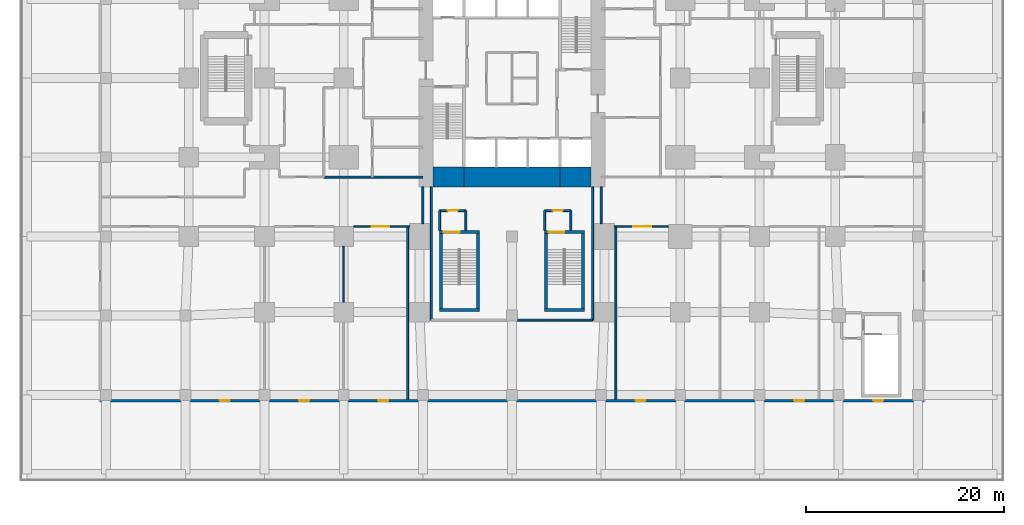
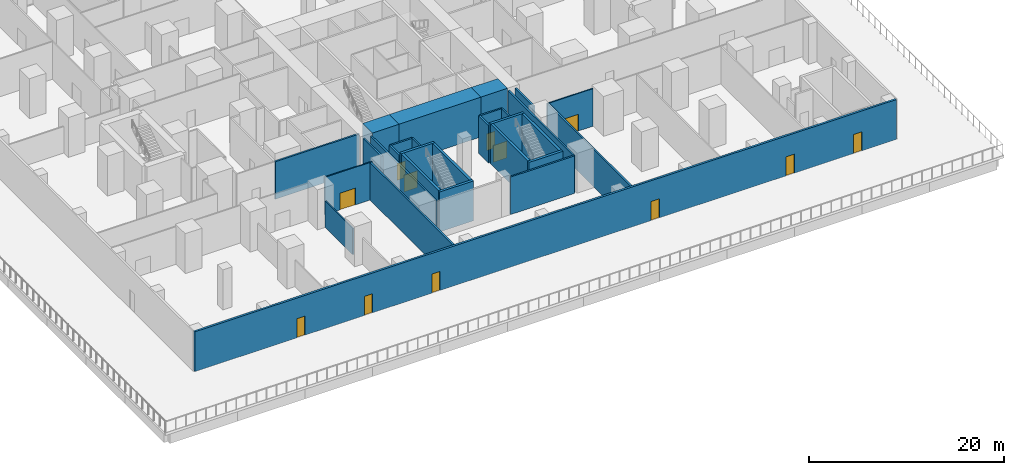
# One storey, part 7 of 19: 29 walls, 12 doors, 12 openings.
"""IFC4 building model written with IfcOpenShell, lengths in metres."""

from ifc_helpers import new_model, si_unit, direction, frame, frame_2d, origin, place, context, subcontext, project, spatial, rectangle, extrude, material, layer, layer_set, type_object, element, fill, save


model = new_model("IFC4")

# Units and contexts
model_context = context("Model", 3, precision=1e-05, world=origin(), true_north=direction((0.0, 1.0)))
body_context = subcontext(model_context, "Body", "Model", "MODEL_VIEW")
ifc_project = project(units=[si_unit("LENGTHUNIT", "METRE"), si_unit("AREAUNIT", "SQUARE_METRE"), si_unit("VOLUMEUNIT", "CUBIC_METRE"), si_unit("PLANEANGLEUNIT", "RADIAN"), si_unit("MASSUNIT", "GRAM", prefix="KILO")], contexts=[model_context])

# Site, building, storey
site_placement = place(None, origin())
site = spatial("IfcSite", under=ifc_project, at=site_placement, CompositionType="ELEMENT")
building_placement = place(site_placement, origin())
building = spatial("IfcBuilding", under=site, at=building_placement, Name="Cleftline Residences", CompositionType="ELEMENT")
storey_placement = place(building_placement, frame((0.0, 0.0, 11.0)))
storey = spatial("IfcBuildingStorey", under=building, at=storey_placement, Name="L02", CompositionType="ELEMENT", Elevation=11.0)

# Walls
ifc_material_1 = material(Name="Concrete B70", Category="concrete")
ifc_layer_1 = layer(ifc_material_1, 2.0)
ifc_layer_set_1 = layer_set([ifc_layer_1], Name="CORE WALL 2000")
wall_type_1 = type_object("IfcWallType", Name="CORE WALL 2000", PredefinedType="SHEAR", material=ifc_layer_set_1)
wall_1_placement = place(storey_placement, frame((25.0, 14.0, 0.0), z_axis=(0.0, 0.0, 1.0), x_axis=(1.0, 0.0, 0.0)))
element("IfcWall", 1, at=wall_1_placement, inside=storey, type_object=wall_type_1, Name="Core wall S1", PredefinedType="SHEAR", context=body_context, shape_type="SweptSolid", body=[
    extrude(rectangle(XDim=3.14990234375, YDim=2.0, at=frame_2d((1.574951171875, 0.0))), origin(), (0.0, 0.0, 1.0), 5.0),
])
wall_2_placement = place(storey_placement, frame((28.14990234375, 14.0, 0.0), z_axis=(0.0, 0.0, 1.0), x_axis=(1.0, 0.0, 0.0)))
element("IfcWall", 2, at=wall_2_placement, inside=storey, type_object=wall_type_1, Name="Core wall S2", PredefinedType="SHEAR", context=body_context, shape_type="SweptSolid", body=[
    extrude(rectangle(XDim=9.7001953125, YDim=2.0, at=frame_2d((4.85009765625, 0.0))), origin(), (0.0, 0.0, 1.0), 5.0),
])
wall_3_placement = place(storey_placement, frame((37.85009765625, 14.0, 0.0), z_axis=(0.0, 0.0, 1.0), x_axis=(1.0, 0.0, 0.0)))
element("IfcWall", 3, at=wall_3_placement, inside=storey, type_object=wall_type_1, Name="Core wall S3", PredefinedType="SHEAR", context=body_context, shape_type="SweptSolid", body=[
    extrude(rectangle(XDim=3.14990234375, YDim=2.0, at=frame_2d((1.574951171875, 0.0))), origin(), (0.0, 0.0, 1.0), 5.0),
])

# Wall, openings, doors
ifc_material_2 = material(Name="Rendered reinforced concrete blockwork", Category="masonry")
ifc_layer_2 = layer(ifc_material_2, 0.25)
ifc_layer_set_2 = layer_set([ifc_layer_2], Name="EXTERNAL WALL 250")
wall_type_2 = type_object("IfcWallType", Name="EXTERNAL WALL 250", PredefinedType="SOLIDWALL", material=ifc_layer_set_2)
wall_4_placement = place(storey_placement, frame((-8.574951171875, -8.574951171875, 0.0), z_axis=(0.0, 0.0, 1.0), x_axis=(1.0, 0.0, 0.0)))
wall_4 = element("IfcWall", 4, at=wall_4_placement, inside=storey, type_object=wall_type_2, Name="External wall", PredefinedType="SOLIDWALL", context=body_context, shape_type="SweptSolid", body=[
    extrude(rectangle(XDim=83.14990234375, YDim=0.25, at=frame_2d((41.574951171875, 0.0))), origin(), (0.0, 0.0, 1.0), 5.0),
])
opening_1_placement = place(wall_4_placement, frame((12.074951171875, 0.0, 0.0)))
opening_1 = element("IfcOpeningElement", 5, at=opening_1_placement, cuts=wall_4, Name="Opening DT1", PredefinedType="OPENING", context=body_context, shape_type="SweptSolid", body=[
    extrude(rectangle(XDim=1.0, YDim=2.39990234375, at=frame_2d((0.5, 1.199951171875))), frame((0.0, 0.135009765625, 0.0), z_axis=(0.0, -1.0, 0.0), x_axis=(1.0, 0.0, 0.0)), (0.0, 0.0, 1.0), 0.27001953125),
])
opening_2_placement = place(wall_4_placement, frame((20.074951171875, 0.0, 0.0)))
opening_2 = element("IfcOpeningElement", 6, at=opening_2_placement, cuts=wall_4, Name="Opening DT1", PredefinedType="OPENING", context=body_context, shape_type="SweptSolid", body=[
    extrude(rectangle(XDim=1.0, YDim=2.39990234375, at=frame_2d((0.5, 1.199951171875))), frame((0.0, 0.135009765625, 0.0), z_axis=(0.0, -1.0, 0.0), x_axis=(1.0, 0.0, 0.0)), (0.0, 0.0, 1.0), 0.27001953125),
])
opening_3_placement = place(wall_4_placement, frame((28.074951171875, 0.0, 0.0)))
opening_3 = element("IfcOpeningElement", 7, at=opening_3_placement, cuts=wall_4, Name="Opening DT1", PredefinedType="OPENING", context=body_context, shape_type="SweptSolid", body=[
    extrude(rectangle(XDim=1.0, YDim=2.39990234375, at=frame_2d((0.5, 1.199951171875))), frame((0.0, 0.135009765625, 0.0), z_axis=(0.0, -1.0, 0.0), x_axis=(1.0, 0.0, 0.0)), (0.0, 0.0, 1.0), 0.27001953125),
])
opening_4_placement = place(wall_4_placement, frame((54.074951171875, 0.0, 0.0)))
opening_4 = element("IfcOpeningElement", 8, at=opening_4_placement, cuts=wall_4, Name="Opening DT1", PredefinedType="OPENING", context=body_context, shape_type="SweptSolid", body=[
    extrude(rectangle(XDim=1.0, YDim=2.39990234375, at=frame_2d((0.5, 1.199951171875))), frame((0.0, 0.135009765625, 0.0), z_axis=(0.0, -1.0, 0.0), x_axis=(1.0, 0.0, 0.0)), (0.0, 0.0, 1.0), 0.27001953125),
])
opening_5_placement = place(wall_4_placement, frame((70.074951171875, 0.0, 0.0)))
opening_5 = element("IfcOpeningElement", 9, at=opening_5_placement, cuts=wall_4, Name="Opening DT1", PredefinedType="OPENING", context=body_context, shape_type="SweptSolid", body=[
    extrude(rectangle(XDim=1.0, YDim=2.39990234375, at=frame_2d((0.5, 1.199951171875))), frame((0.0, 0.135009765625, 0.0), z_axis=(0.0, -1.0, 0.0), x_axis=(1.0, 0.0, 0.0)), (0.0, 0.0, 1.0), 0.27001953125),
])
opening_6_placement = place(wall_4_placement, frame((78.074951171875, 0.0, 0.0)))
opening_6 = element("IfcOpeningElement", 10, at=opening_6_placement, cuts=wall_4, Name="Opening DT1", PredefinedType="OPENING", context=body_context, shape_type="SweptSolid", body=[
    extrude(rectangle(XDim=1.0, YDim=2.39990234375, at=frame_2d((0.5, 1.199951171875))), frame((0.0, 0.135009765625, 0.0), z_axis=(0.0, -1.0, 0.0), x_axis=(1.0, 0.0, 0.0)), (0.0, 0.0, 1.0), 0.27001953125),
])
ifc_material_3 = material(Name="Aluminium and laminated glass", Category="aluminium")
door_type_1 = type_object("IfcDoorType", Name="TERRACE DOOR 1000X2400", OperationType="SINGLE_SWING_LEFT", PredefinedType="DOOR", material=ifc_material_3)
door_1_placement = place(opening_1_placement, origin())
door_1 = element("IfcDoor", 11, at=door_1_placement, inside=storey, type_object=door_type_1, Name="Terrace door", OperationType="SINGLE_SWING_RIGHT", OverallHeight=2.39990234375, OverallWidth=1.0, PredefinedType="DOOR", context=body_context, shape_type="SweptSolid", body=[
    extrude(rectangle(XDim=1.0, YDim=2.39990234375, at=frame_2d((0.5, 1.199951171875))), frame((0.0, 0.02490234375, 0.0), z_axis=(0.0, -1.0, 0.0), x_axis=(1.0, 0.0, 0.0)), (0.0, 0.0, 1.0), 0.050048828125),
])
fill(opening_1, door_1)
door_2_placement = place(opening_2_placement, origin())
door_2 = element("IfcDoor", 12, at=door_2_placement, inside=storey, type_object=door_type_1, Name="Terrace door", OperationType="SINGLE_SWING_RIGHT", OverallHeight=2.39990234375, OverallWidth=1.0, PredefinedType="DOOR", context=body_context, shape_type="SweptSolid", body=[
    extrude(rectangle(XDim=1.0, YDim=2.39990234375, at=frame_2d((0.5, 1.199951171875))), frame((0.0, 0.02490234375, 0.0), z_axis=(0.0, -1.0, 0.0), x_axis=(1.0, 0.0, 0.0)), (0.0, 0.0, 1.0), 0.050048828125),
])
fill(opening_2, door_2)
door_3_placement = place(opening_3_placement, origin())
door_3 = element("IfcDoor", 13, at=door_3_placement, inside=storey, type_object=door_type_1, Name="Terrace door", OperationType="SINGLE_SWING_RIGHT", OverallHeight=2.39990234375, OverallWidth=1.0, PredefinedType="DOOR", context=body_context, shape_type="SweptSolid", body=[
    extrude(rectangle(XDim=1.0, YDim=2.39990234375, at=frame_2d((0.5, 1.199951171875))), frame((0.0, 0.02490234375, 0.0), z_axis=(0.0, -1.0, 0.0), x_axis=(1.0, 0.0, 0.0)), (0.0, 0.0, 1.0), 0.050048828125),
])
fill(opening_3, door_3)
door_4_placement = place(opening_4_placement, origin())
door_4 = element("IfcDoor", 14, at=door_4_placement, inside=storey, type_object=door_type_1, Name="Terrace door", OperationType="SINGLE_SWING_LEFT", OverallHeight=2.39990234375, OverallWidth=1.0, PredefinedType="DOOR", context=body_context, shape_type="SweptSolid", body=[
    extrude(rectangle(XDim=1.0, YDim=2.39990234375, at=frame_2d((0.5, 1.199951171875))), frame((0.0, 0.02490234375, 0.0), z_axis=(0.0, -1.0, 0.0), x_axis=(1.0, 0.0, 0.0)), (0.0, 0.0, 1.0), 0.050048828125),
])
fill(opening_4, door_4)
door_5_placement = place(opening_5_placement, origin())
door_5 = element("IfcDoor", 15, at=door_5_placement, inside=storey, type_object=door_type_1, Name="Terrace door", OperationType="SINGLE_SWING_LEFT", OverallHeight=2.39990234375, OverallWidth=1.0, PredefinedType="DOOR", context=body_context, shape_type="SweptSolid", body=[
    extrude(rectangle(XDim=1.0, YDim=2.39990234375, at=frame_2d((0.5, 1.199951171875))), frame((0.0, 0.02490234375, 0.0), z_axis=(0.0, -1.0, 0.0), x_axis=(1.0, 0.0, 0.0)), (0.0, 0.0, 1.0), 0.050048828125),
])
fill(opening_5, door_5)
door_6_placement = place(opening_6_placement, origin())
door_6 = element("IfcDoor", 16, at=door_6_placement, inside=storey, type_object=door_type_1, Name="Terrace door", OperationType="SINGLE_SWING_LEFT", OverallHeight=2.39990234375, OverallWidth=1.0, PredefinedType="DOOR", context=body_context, shape_type="SweptSolid", body=[
    extrude(rectangle(XDim=1.0, YDim=2.39990234375, at=frame_2d((0.5, 1.199951171875))), frame((0.0, 0.02490234375, 0.0), z_axis=(0.0, -1.0, 0.0), x_axis=(1.0, 0.0, 0.0)), (0.0, 0.0, 1.0), 0.050048828125),
])
fill(opening_6, door_6)

# Wall
ifc_material_4 = material(Name="Concrete blockwork, fire rated", Category="masonry")
ifc_layer_3 = layer(ifc_material_4, 0.199951171875)
ifc_layer_set_3 = layer_set([ifc_layer_3], Name="FIRE WALL 200")
wall_type_3 = type_object("IfcWallType", Name="FIRE WALL 200", PredefinedType="PARTITIONING", material=ifc_layer_set_3)
wall_5_placement = place(storey_placement, frame((33.550048828125, -0.449951171875, 0.0), z_axis=(0.0, 0.0, 1.0), x_axis=(1.0, 0.0, 0.0)))
element("IfcWall", 17, at=wall_5_placement, inside=storey, type_object=wall_type_3, Name="Fire separating wall", PredefinedType="PARTITIONING", context=body_context, shape_type="SweptSolid", body=[
    extrude(rectangle(XDim=7.599853515625, YDim=0.199951171875, at=frame_2d((3.7998046875, 0.0))), origin(), (0.0, 0.0, 1.0), 4.699951171875),
])

# Wall, opening, door
wall_6_placement = place(storey_placement, frame((25.699951171875, 10.60009765625, 0.0), z_axis=(0.0, 0.0, 1.0), x_axis=(1.0, 0.0, 0.0)))
wall_6 = element("IfcWall", 18, at=wall_6_placement, inside=storey, type_object=wall_type_3, Name="Fire separating wall", PredefinedType="PARTITIONING", context=body_context, shape_type="SweptSolid", body=[
    extrude(rectangle(XDim=2.650146484375, YDim=0.199951171875, at=frame_2d((1.3251953125, 0.0))), origin(), (0.0, 0.0, 1.0), 4.699951171875),
])
opening_7_placement = place(wall_6_placement, frame((0.824951171875, 0.0, 0.0)))
opening_7 = element("IfcOpeningElement", 19, at=opening_7_placement, cuts=wall_6, Name="Opening D2F60", PredefinedType="OPENING", context=body_context, shape_type="SweptSolid", body=[
    extrude(rectangle(XDim=1.0, YDim=2.10009765625, at=frame_2d((0.5, 1.050048828125))), frame((0.0, 0.10986328125, 0.0), z_axis=(0.0, -1.0, 0.0), x_axis=(1.0, 0.0, 0.0)), (0.0, 0.0, 1.0), 0.219970703125),
])
ifc_material_5 = material(Name="Timber veneer on solid core", Category="wood")
door_type_2 = type_object("IfcDoorType", Name="DOOR 1000X2100 EI 60", OperationType="SINGLE_SWING_LEFT", PredefinedType="DOOR", material=ifc_material_5)
door_7_placement = place(opening_7_placement, origin())
door_7 = element("IfcDoor", 20, at=door_7_placement, inside=storey, type_object=door_type_2, Name="Door to stair c lobby", OperationType="SINGLE_SWING_LEFT", OverallHeight=2.10009765625, OverallWidth=1.0, PredefinedType="DOOR", context=body_context, shape_type="SweptSolid", body=[
    extrude(rectangle(XDim=1.0, YDim=2.10009765625, at=frame_2d((0.5, 1.050048828125))), frame((0.0, 0.02490234375, 0.0), z_axis=(0.0, -1.0, 0.0), x_axis=(1.0, 0.0, 0.0)), (0.0, 0.0, 1.0), 0.050048828125),
])
fill(opening_7, door_7)

wall_7_placement = place(storey_placement, frame((36.300048828125, 10.60009765625, 0.0), z_axis=(0.0, 0.0, 1.0), x_axis=(1.0, 0.0, 0.0)))
wall_7 = element("IfcWall", 21, at=wall_7_placement, inside=storey, type_object=wall_type_3, Name="Fire separating wall", PredefinedType="PARTITIONING", context=body_context, shape_type="SweptSolid", body=[
    extrude(rectangle(XDim=2.64990234375, YDim=0.199951171875, at=frame_2d((1.324951171875, 0.0))), origin(), (0.0, 0.0, 1.0), 4.699951171875),
])
opening_8_placement = place(wall_7_placement, frame((0.824951171875, 0.0, 0.0)))
opening_8 = element("IfcOpeningElement", 22, at=opening_8_placement, cuts=wall_7, Name="Opening D2F60", PredefinedType="OPENING", context=body_context, shape_type="SweptSolid", body=[
    extrude(rectangle(XDim=1.0, YDim=2.10009765625, at=frame_2d((0.5, 1.050048828125))), frame((0.0, 0.10986328125, 0.0), z_axis=(0.0, -1.0, 0.0), x_axis=(1.0, 0.0, 0.0)), (0.0, 0.0, 1.0), 0.219970703125),
])
door_8_placement = place(opening_8_placement, origin())
door_8 = element("IfcDoor", 23, at=door_8_placement, inside=storey, type_object=door_type_2, Name="Door to stair c2 lobby", OperationType="SINGLE_SWING_LEFT", OverallHeight=2.10009765625, OverallWidth=1.0, PredefinedType="DOOR", context=body_context, shape_type="SweptSolid", body=[
    extrude(rectangle(XDim=1.0, YDim=2.10009765625, at=frame_2d((0.5, 1.050048828125))), frame((0.0, 0.02490234375, 0.0), z_axis=(0.0, -1.0, 0.0), x_axis=(1.0, 0.0, 0.0)), (0.0, 0.0, 1.0), 0.050048828125),
])
fill(opening_8, door_8)

# Walls
wall_8_placement = place(storey_placement, frame((14.0, 14.0, 0.0), z_axis=(0.0, 0.0, 1.0), x_axis=(1.0, 0.0, 0.0)))
element("IfcWall", 24, at=wall_8_placement, inside=storey, type_object=wall_type_3, Name="Fire separating wall", PredefinedType="PARTITIONING", context=body_context, shape_type="SweptSolid", body=[
    extrude(rectangle(XDim=10.0, YDim=0.199951171875, at=frame_2d((5.0, 0.0))), origin(), (0.0, 0.0, 1.0), 4.699951171875),
])
wall_9_placement = place(storey_placement, frame((22.449951171875, -8.449951171875, 0.0), z_axis=(0.0, 0.0, 1.0), x_axis=(0.0, 1.0, 0.0)))
element("IfcWall", 25, at=wall_9_placement, inside=storey, type_object=wall_type_3, Name="Fire separating wall", PredefinedType="PARTITIONING", context=body_context, shape_type="SweptSolid", body=[
    extrude(rectangle(XDim=17.449951171875, YDim=0.199951171875, at=frame_2d((8.72509765625, 0.0))), origin(), (0.0, 0.0, 1.0), 4.699951171875),
])
wall_10_placement = place(storey_placement, frame((24.0, 9.300048828125, 0.0), z_axis=(0.0, 0.0, 1.0), x_axis=(0.0, 1.0, 0.0)))
element("IfcWall", 26, at=wall_10_placement, inside=storey, type_object=wall_type_3, Name="Fire separating wall", PredefinedType="PARTITIONING", context=body_context, shape_type="SweptSolid", body=[
    extrude(rectangle(XDim=3.699951171875, YDim=0.199951171875, at=frame_2d((1.85009765625, 0.0))), origin(), (0.0, 0.0, 1.0), 4.699951171875),
])
wall_11_placement = place(storey_placement, frame((24.85009765625, -0.449951171875, 0.0), z_axis=(0.0, 0.0, 1.0), x_axis=(0.0, 1.0, 0.0)))
element("IfcWall", 27, at=wall_11_placement, inside=storey, type_object=wall_type_3, Name="Fire separating wall", PredefinedType="PARTITIONING", context=body_context, shape_type="SweptSolid", body=[
    extrude(rectangle(XDim=13.449951171875, YDim=0.199951171875, at=frame_2d((6.72509765625, 0.0))), origin(), (0.0, 0.0, 1.0), 4.699951171875),
])
for number, where, z_axis, x_axis, name in (
    (28, (25.699951171875, 8.60009765625, 0.0), (0.0, 0.0, 1.0), (0.0, 1.0, 0.0), "Fire separating wall"),
    (29, (28.35009765625, 8.60009765625, 0.0), (0.0, 0.0, 1.0), (0.0, 1.0, 0.0), "Fire separating wall"),
    (30, (36.300048828125, 8.60009765625, 0.0), (0.0, 0.0, 1.0), (0.0, 1.0, 0.0), "Fire separating wall"),
    (31, (38.949951171875, 8.60009765625, 0.0), (0.0, 0.0, 1.0), (0.0, 1.0, 0.0), "Fire separating wall"),
):
    element("IfcWall", number, at=place(storey_placement, frame(where, z_axis=z_axis, x_axis=x_axis)), inside=storey, type_object=wall_type_3, Name=name, PredefinedType="PARTITIONING", context=body_context, shape_type="SweptSolid", body=[
        extrude(rectangle(XDim=2.0, YDim=0.199951171875, at=frame_2d((1.0, 0.0))), origin(), (0.0, 0.0, 1.0), 4.699951171875),
    ])
wall_12_placement = place(storey_placement, frame((41.14990234375, -0.449951171875, 0.0), z_axis=(0.0, 0.0, 1.0), x_axis=(0.0, 1.0, 0.0)))
element("IfcWall", 32, at=wall_12_placement, inside=storey, type_object=wall_type_3, Name="Fire separating wall", PredefinedType="PARTITIONING", context=body_context, shape_type="SweptSolid", body=[
    extrude(rectangle(XDim=13.449951171875, YDim=0.199951171875, at=frame_2d((6.72509765625, 0.0))), origin(), (0.0, 0.0, 1.0), 4.699951171875),
])
wall_13_placement = place(storey_placement, frame((42.0, 9.300048828125, 0.0), z_axis=(0.0, 0.0, 1.0), x_axis=(0.0, 1.0, 0.0)))
element("IfcWall", 33, at=wall_13_placement, inside=storey, type_object=wall_type_3, Name="Fire separating wall", PredefinedType="PARTITIONING", context=body_context, shape_type="SweptSolid", body=[
    extrude(rectangle(XDim=3.699951171875, YDim=0.199951171875, at=frame_2d((1.85009765625, 0.0))), origin(), (0.0, 0.0, 1.0), 4.699951171875),
])
wall_14_placement = place(storey_placement, frame((43.5, -8.449951171875, 0.0), z_axis=(0.0, 0.0, 1.0), x_axis=(0.0, 1.0, 0.0)))
element("IfcWall", 34, at=wall_14_placement, inside=storey, type_object=wall_type_3, Name="Fire separating wall", PredefinedType="PARTITIONING", context=body_context, shape_type="SweptSolid", body=[
    extrude(rectangle(XDim=17.449951171875, YDim=0.199951171875, at=frame_2d((8.72509765625, 0.0))), origin(), (0.0, 0.0, 1.0), 4.699951171875),
])

# Wall, opening, door
ifc_material_6 = material(Name="Gypsum board on steel studs", Category="steel")
ifc_layer_4 = layer(ifc_material_6, 0.14990234375)
ifc_layer_set_4 = layer_set([ifc_layer_4], Name="PARTITION 150")
wall_type_4 = type_object("IfcWallType", Name="PARTITION 150", PredefinedType="PARTITIONING", material=ifc_layer_set_4)
wall_15_placement = place(storey_placement, frame((17.0, 9.0, 0.0), z_axis=(0.0, 0.0, 1.0), x_axis=(1.0, 0.0, 0.0)))
wall_15 = element("IfcWall", 35, at=wall_15_placement, inside=storey, type_object=wall_type_4, Name="Partition", PredefinedType="PARTITIONING", context=body_context, shape_type="SweptSolid", body=[
    extrude(rectangle(XDim=5.64990234375, YDim=0.14990234375, at=frame_2d((2.824951171875, 0.0))), origin(), (0.0, 0.0, 1.0), 4.699951171875),
])
opening_9_placement = place(wall_15_placement, frame((1.824951171875, 0.0, 0.0)))
opening_9 = element("IfcOpeningElement", 36, at=opening_9_placement, cuts=wall_15, Name="Opening D3", PredefinedType="OPENING", context=body_context, shape_type="SweptSolid", body=[
    extrude(rectangle(XDim=1.800048828125, YDim=2.10009765625, at=frame_2d((0.89990234375, 1.050048828125))), frame((0.0, 0.0849609375, 0.0), z_axis=(0.0, -1.0, 0.0), x_axis=(1.0, 0.0, 0.0)), (0.0, 0.0, 1.0), 0.169921875),
])
ifc_material_7 = material(Name="Timber veneer on solid core", Category="wood")
door_type_3 = type_object("IfcDoorType", Name="DOUBLE DOOR 1800X2100", OperationType="DOUBLE_DOOR_DOUBLE_SWING", PredefinedType="DOOR", material=ifc_material_7)
door_9_placement = place(opening_9_placement, origin())
door_9 = element("IfcDoor", 37, at=door_9_placement, inside=storey, type_object=door_type_3, Name="Door to pilates studio", OperationType="DOUBLE_DOOR_DOUBLE_SWING", OverallHeight=2.10009765625, OverallWidth=1.800048828125, PredefinedType="DOOR", context=body_context, shape_type="SweptSolid", body=[
    extrude(rectangle(XDim=1.800048828125, YDim=2.10009765625, at=frame_2d((0.89990234375, 1.050048828125))), frame((0.0, 0.02490234375, 0.0), z_axis=(0.0, -1.0, 0.0), x_axis=(1.0, 0.0, 0.0)), (0.0, 0.0, 1.0), 0.050048828125),
])
fill(opening_9, door_9)

wall_16_placement = place(storey_placement, frame((43.35009765625, 9.0, 0.0), z_axis=(0.0, 0.0, 1.0), x_axis=(1.0, 0.0, 0.0)))
wall_16 = element("IfcWall", 38, at=wall_16_placement, inside=storey, type_object=wall_type_4, Name="Partition", PredefinedType="PARTITIONING", context=body_context, shape_type="SweptSolid", body=[
    extrude(rectangle(XDim=5.449951171875, YDim=0.14990234375, at=frame_2d((2.72509765625, 0.0))), origin(), (0.0, 0.0, 1.0), 4.699951171875),
])
opening_10_placement = place(wall_16_placement, frame((1.89990234375, 0.0, 0.0)))
opening_10 = element("IfcOpeningElement", 39, at=opening_10_placement, cuts=wall_16, Name="Opening D3", PredefinedType="OPENING", context=body_context, shape_type="SweptSolid", body=[
    extrude(rectangle(XDim=1.800048828125, YDim=2.10009765625, at=frame_2d((0.89990234375, 1.050048828125))), frame((0.0, 0.0849609375, 0.0), z_axis=(0.0, -1.0, 0.0), x_axis=(1.0, 0.0, 0.0)), (0.0, 0.0, 1.0), 0.169921875),
])
door_10_placement = place(opening_10_placement, origin())
door_10 = element("IfcDoor", 40, at=door_10_placement, inside=storey, type_object=door_type_3, Name="Door to yoga studio", OperationType="DOUBLE_DOOR_DOUBLE_SWING", OverallHeight=2.10009765625, OverallWidth=1.800048828125, PredefinedType="DOOR", context=body_context, shape_type="SweptSolid", body=[
    extrude(rectangle(XDim=1.800048828125, YDim=2.10009765625, at=frame_2d((0.89990234375, 1.050048828125))), frame((0.0, 0.02490234375, 0.0), z_axis=(0.0, -1.0, 0.0), x_axis=(1.0, 0.0, 0.0)), (0.0, 0.0, 1.0), 0.050048828125),
])
fill(opening_10, door_10)

# Walls
wall_17_placement = place(storey_placement, frame((16.0, 1.35009765625, 0.0), z_axis=(0.0, 0.0, 1.0), x_axis=(0.0, 1.0, 0.0)))
element("IfcWall", 41, at=wall_17_placement, inside=storey, type_object=wall_type_4, Name="Partition", PredefinedType="PARTITIONING", context=body_context, shape_type="SweptSolid", body=[
    extrude(rectangle(XDim=5.64990234375, YDim=0.14990234375, at=frame_2d((2.824951171875, 0.0))), origin(), (0.0, 0.0, 1.0), 3.300048828125),
])
ifc_material_8 = material(Name="Concrete blockwork, fire rated", Category="masonry")
ifc_layer_5 = layer(ifc_material_8, 0.300048828125)
ifc_layer_set_5 = layer_set([ifc_layer_5], Name="STAIR ENCLOSURE WALL 300")
wall_type_5 = type_object("IfcWallType", Name="STAIR ENCLOSURE WALL 300", PredefinedType="PARTITIONING", material=ifc_layer_set_5)
wall_18_placement = place(storey_placement, frame((25.699951171875, 0.550048828125, 0.0), z_axis=(0.0, 0.0, 1.0), x_axis=(1.0, 0.0, 0.0)))
element("IfcWall", 42, at=wall_18_placement, inside=storey, type_object=wall_type_5, Name="Stair C enclosure", PredefinedType="PARTITIONING", context=body_context, shape_type="SweptSolid", body=[
    extrude(rectangle(XDim=4.0, YDim=0.300048828125, at=frame_2d((2.0, 0.0))), origin(), (0.0, 0.0, 1.0), 5.0),
])

# Wall, opening, door
wall_19_placement = place(storey_placement, frame((25.699951171875, 8.449951171875, 0.0), z_axis=(0.0, 0.0, 1.0), x_axis=(1.0, 0.0, 0.0)))
wall_19 = element("IfcWall", 43, at=wall_19_placement, inside=storey, type_object=wall_type_5, Name="Stair C enclosure", PredefinedType="PARTITIONING", context=body_context, shape_type="SweptSolid", body=[
    extrude(rectangle(XDim=4.0, YDim=0.300048828125, at=frame_2d((2.0, 0.0))), origin(), (0.0, 0.0, 1.0), 5.0),
])
opening_11_placement = place(wall_19_placement, frame((0.39990234375, 0.0, 0.0)))
opening_11 = element("IfcOpeningElement", 44, at=opening_11_placement, cuts=wall_19, Name="Opening D9", PredefinedType="OPENING", context=body_context, shape_type="SweptSolid", body=[
    extrude(rectangle(XDim=1.60009765625, YDim=2.10009765625, at=frame_2d((0.800048828125, 1.050048828125))), frame((0.0, 0.159912109375, 0.0), z_axis=(0.0, -1.0, 0.0), x_axis=(1.0, 0.0, 0.0)), (0.0, 0.0, 1.0), 0.320068359375),
])
ifc_material_9 = material(Name="Steel", Category="steel")
door_type_4 = type_object("IfcDoorType", Name="STAIR DOOR 1600X2100", OperationType="DOUBLE_DOOR_SINGLE_SWING", PredefinedType="DOOR", material=ifc_material_9)
door_11_placement = place(opening_11_placement, origin())
door_11 = element("IfcDoor", 45, at=door_11_placement, inside=storey, type_object=door_type_4, Name="Stair C door", OperationType="DOUBLE_DOOR_SINGLE_SWING", OverallHeight=2.10009765625, OverallWidth=1.60009765625, PredefinedType="DOOR", context=body_context, shape_type="SweptSolid", body=[
    extrude(rectangle(XDim=1.60009765625, YDim=2.10009765625, at=frame_2d((0.800048828125, 1.050048828125))), frame((0.0, 0.02490234375, 0.0), z_axis=(0.0, -1.0, 0.0), x_axis=(1.0, 0.0, 0.0)), (0.0, 0.0, 1.0), 0.050048828125),
])
fill(opening_11, door_11)

# Walls
for number, where, z_axis, x_axis, name in (
    (46, (25.85009765625, 0.699951171875, 0.0), (0.0, 0.0, 1.0), (0.0, 1.0, 0.0), "Stair C enclosure"),
    (47, (29.550048828125, 0.699951171875, 0.0), (0.0, 0.0, 1.0), (0.0, 1.0, 0.0), "Stair C enclosure"),
):
    element("IfcWall", number, at=place(storey_placement, frame(where, z_axis=z_axis, x_axis=x_axis)), inside=storey, type_object=wall_type_5, Name=name, PredefinedType="PARTITIONING", context=body_context, shape_type="SweptSolid", body=[
        extrude(rectangle(XDim=7.60009765625, YDim=0.300048828125, at=frame_2d((3.800048828125, 0.0))), origin(), (0.0, 0.0, 1.0), 5.0),
    ])
wall_20_placement = place(storey_placement, frame((36.300048828125, 0.550048828125, 0.0), z_axis=(0.0, 0.0, 1.0), x_axis=(1.0, 0.0, 0.0)))
element("IfcWall", 48, at=wall_20_placement, inside=storey, type_object=wall_type_5, Name="Stair C2 enclosure", PredefinedType="PARTITIONING", context=body_context, shape_type="SweptSolid", body=[
    extrude(rectangle(XDim=4.0, YDim=0.300048828125, at=frame_2d((2.0, 0.0))), origin(), (0.0, 0.0, 1.0), 5.0),
])

# Wall, opening, door
wall_21_placement = place(storey_placement, frame((36.300048828125, 8.449951171875, 0.0), z_axis=(0.0, 0.0, 1.0), x_axis=(1.0, 0.0, 0.0)))
wall_21 = element("IfcWall", 49, at=wall_21_placement, inside=storey, type_object=wall_type_5, Name="Stair C2 enclosure", PredefinedType="PARTITIONING", context=body_context, shape_type="SweptSolid", body=[
    extrude(rectangle(XDim=4.0, YDim=0.300048828125, at=frame_2d((2.0, 0.0))), origin(), (0.0, 0.0, 1.0), 5.0),
])
opening_12_placement = place(wall_21_placement, frame((0.39990234375, 0.0, 0.0)))
opening_12 = element("IfcOpeningElement", 50, at=opening_12_placement, cuts=wall_21, Name="Opening D9", PredefinedType="OPENING", context=body_context, shape_type="SweptSolid", body=[
    extrude(rectangle(XDim=1.60009765625, YDim=2.10009765625, at=frame_2d((0.800048828125, 1.050048828125))), frame((0.0, 0.159912109375, 0.0), z_axis=(0.0, -1.0, 0.0), x_axis=(1.0, 0.0, 0.0)), (0.0, 0.0, 1.0), 0.320068359375),
])
door_12_placement = place(opening_12_placement, origin())
door_12 = element("IfcDoor", 51, at=door_12_placement, inside=storey, type_object=door_type_4, Name="Stair C2 door", OperationType="DOUBLE_DOOR_SINGLE_SWING", OverallHeight=2.10009765625, OverallWidth=1.60009765625, PredefinedType="DOOR", context=body_context, shape_type="SweptSolid", body=[
    extrude(rectangle(XDim=1.60009765625, YDim=2.10009765625, at=frame_2d((0.800048828125, 1.050048828125))), frame((0.0, 0.02490234375, 0.0), z_axis=(0.0, -1.0, 0.0), x_axis=(1.0, 0.0, 0.0)), (0.0, 0.0, 1.0), 0.050048828125),
])
fill(opening_12, door_12)

# Walls
for number, where, z_axis, x_axis, name in (
    (52, (36.449951171875, 0.699951171875, 0.0), (0.0, 0.0, 1.0), (0.0, 1.0, 0.0), "Stair C2 enclosure"),
    (53, (40.14990234375, 0.699951171875, 0.0), (0.0, 0.0, 1.0), (0.0, 1.0, 0.0), "Stair C2 enclosure"),
):
    element("IfcWall", number, at=place(storey_placement, frame(where, z_axis=z_axis, x_axis=x_axis)), inside=storey, type_object=wall_type_5, Name=name, PredefinedType="PARTITIONING", context=body_context, shape_type="SweptSolid", body=[
        extrude(rectangle(XDim=7.60009765625, YDim=0.300048828125, at=frame_2d((3.800048828125, 0.0))), origin(), (0.0, 0.0, 1.0), 5.0),
    ])

save(model, "model.ifc")
